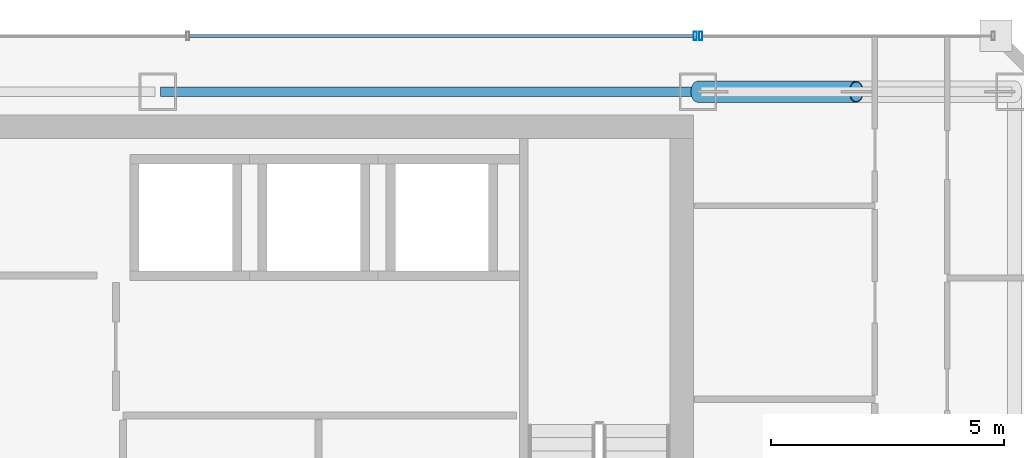
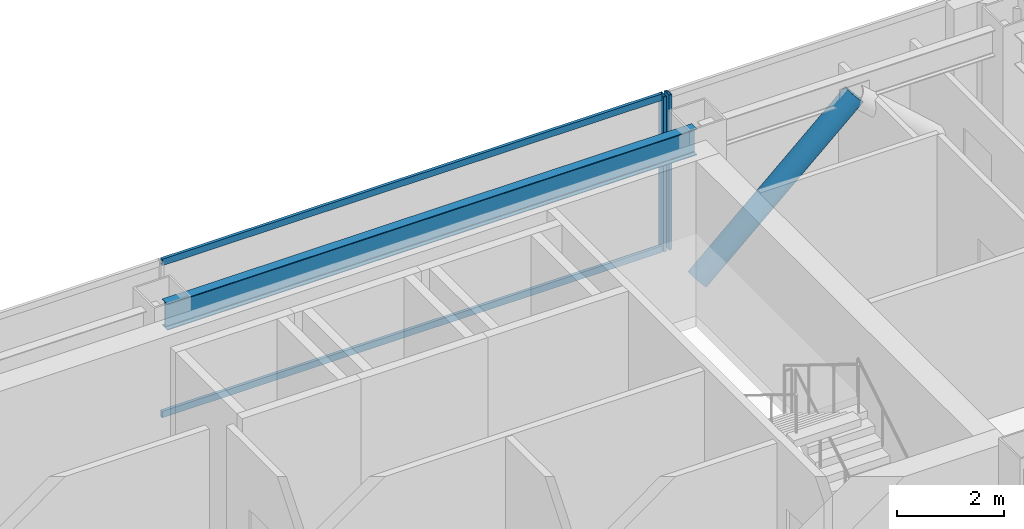
# One storey, part 26 of 35: 5 members, 1 beam, 2 elements without a shape of their own.
"""IFC4 building model written with IfcOpenShell, lengths in metres."""

from ifc_helpers import new_model, si_unit, direction, frame, origin, origin_2d, place, context, subcontext, project, spatial, hollow_rectangle, hollow_circle, i_section, extrude, material, material_profile, profile_set, type_object, element, aggregate, save


model = new_model("IFC4")

# Units and contexts
model_context = context("Model", 3, precision=1e-05, world=origin(), true_north=direction((0.0, 1.0)))
body_context = subcontext(model_context, "Body", "Model", "MODEL_VIEW")
ifc_project = project(units=[si_unit("LENGTHUNIT", "METRE"), si_unit("AREAUNIT", "SQUARE_METRE"), si_unit("VOLUMEUNIT", "CUBIC_METRE"), si_unit("PLANEANGLEUNIT", "RADIAN"), si_unit("MASSUNIT", "GRAM", prefix="KILO")], contexts=[model_context])

# Site, building, storey
site_placement = place(None, origin())
site = spatial("IfcSite", under=ifc_project, at=site_placement, CompositionType="ELEMENT")
building_placement = place(site_placement, origin())
building = spatial("IfcBuilding", under=site, at=building_placement, Name="Saevonmaru Cultural Tower", CompositionType="ELEMENT")
storey_placement = place(building_placement, frame((0.0, 0.0, 217.0)))
storey = spatial("IfcBuildingStorey", under=building, at=storey_placement, Name="L50", CompositionType="ELEMENT", Elevation=217.0)

# Beam
ifc_material_1 = material(Name="Steel SM355", Category="steel")
ifc_material_profile_1 = material_profile(ifc_material_1, i_section(OverallWidth=0.199951171875, OverallDepth=0.60009765625, WebThickness=0.010986328125, FlangeThickness=0.01708984375, FilletRadius=0.02197265625, at=origin_2d()), Name="H-600x200x11x17")
ifc_profile_set_1 = profile_set([ifc_material_profile_1], Name="Steel SM355")
beam_type = type_object("IfcBeamType", Name="BM-SP-H600", PredefinedType="SPANDREL", material=ifc_profile_set_1)
beam_placement = place(storey_placement, frame((34.860107421875, 54.800048828125, 3.25), z_axis=(1.0, 0.0, 0.0), x_axis=(0.0, 1.0, 0.0)))
element("IfcBeam", 1, at=beam_placement, inside=storey, type_object=beam_type, Name="L50 North Spine Girder 4", PredefinedType="SPANDREL", context=body_context, shape_type="SweptSolid", body=[
    extrude(i_section(OverallWidth=0.199951171875, OverallDepth=0.60009765625, WebThickness=0.010986328125, FlangeThickness=0.01708984375, FilletRadius=0.02197265625, at=origin_2d()), origin(), (0.0, 0.0, 1.0), 11.47998046875),
])

# Member
ifc_material_2 = material(Name="Steel SM420", Category="steel")
ifc_material_profile_2 = material_profile(ifc_material_2, hollow_circle(Radius=0.228515625, WallThickness=0.02001953125, at=origin_2d()), Name="CHS-457.2x20")
ifc_profile_set_2 = profile_set([ifc_material_profile_2], Name="Steel SM420")
member_type_1 = type_object("IfcMemberType", Name="MB-PBR-CHS457", PredefinedType="BRACE", material=ifc_profile_set_2)
member_1_placement = place(storey_placement, frame((46.39990234375, 54.800048828125, 0.02001953125), z_axis=(0.744390779303, 0.0, 0.66774423823), x_axis=(0.0, 1.0, 0.0)))
element("IfcMember", 2, at=member_1_placement, inside=storey, type_object=member_type_1, Name="L50 Perimeter Braced-Tube Diagonal EN1", PredefinedType="BRACE", context=body_context, shape_type="SweptSolid", body=[
    extrude(hollow_circle(Radius=0.228515625, WallThickness=0.02001953125, at=origin_2d()), origin(), (0.0, 0.0, 1.0), 4.567626953125),
])

# Curtain wall, member
ifc_material_3 = material(Name="Satin Bronze Anodised Aluminium", Category="aluminium")
curtain_wall_type = type_object("IfcCurtainWallType", Name="CW-TYP-B", PredefinedType="NOTDEFINED", material=ifc_material_3)
curtain_wall_1_placement = place(storey_placement, origin())
curtain_wall_1 = element("IfcCurtainWall", 3, at=curtain_wall_1_placement, inside=storey, type_object=curtain_wall_type, Name="L50 East Braced Bay Spandrel Curtain Wall E10A", PredefinedType="NOTDEFINED")
ifc_material_profile_3 = material_profile(ifc_material_3, hollow_rectangle(XDim=0.06494140625, YDim=0.179931640625, WallThickness=0.00390625, at=origin_2d()), Name="ALU-MULL-180x65x4")
ifc_profile_set_3 = profile_set([ifc_material_profile_3], Name="Satin Bronze Anodised Aluminium")
member_type_2 = type_object("IfcMemberType", Name="ML-CW-180x65", PredefinedType="MULLION", material=ifc_profile_set_3)
member_2_placement = place(storey_placement, frame((46.4599609375, 56.0, 0.0), z_axis=(0.0, 0.0, 1.0), x_axis=(-1.0, 0.0, 0.0)))
member_2 = element("IfcMember", 4, at=member_2_placement, type_object=member_type_2, Name="CW-TW-L50-E10A mullion 2", PredefinedType="MULLION", context=body_context, shape_type="SweptSolid", body=[
    extrude(hollow_rectangle(XDim=0.06494140625, YDim=0.179931640625, WallThickness=0.00390625, at=origin_2d()), origin(), (0.0, 0.0, 1.0), 3.550048828125),
])
aggregate(curtain_wall_1, [member_2])

# Curtain wall, members
curtain_wall_2_placement = place(storey_placement, origin())
curtain_wall_2 = element("IfcCurtainWall", 5, at=curtain_wall_2_placement, inside=storey, type_object=curtain_wall_type, Name="L50 North Spine Unitised Curtain Wall E10B", PredefinedType="NOTDEFINED")
member_3_placement = place(storey_placement, frame((46.340087890625, 56.0, 0.0), z_axis=(0.0, 0.0, 1.0), x_axis=(-1.0, 0.0, 0.0)))
member_3 = element("IfcMember", 6, at=member_3_placement, type_object=member_type_2, Name="CW-TW-L50-E10B mullion 1", PredefinedType="MULLION", context=body_context, shape_type="SweptSolid", body=[
    extrude(hollow_rectangle(XDim=0.06494140625, YDim=0.179931640625, WallThickness=0.00390625, at=origin_2d()), origin(), (0.0, 0.0, 1.0), 3.550048828125),
])
ifc_material_profile_4 = material_profile(ifc_material_3, hollow_rectangle(XDim=0.06494140625, YDim=0.14990234375, WallThickness=0.00390625, at=origin_2d()), Name="ALU-TRAN-150x65x4")
ifc_profile_set_4 = profile_set([ifc_material_profile_4], Name="Satin Bronze Anodised Aluminium")
member_type_3 = type_object("IfcMemberType", Name="TR-CW-150x65", PredefinedType="USERDEFINED", material=ifc_profile_set_4)
member_4_placement = place(storey_placement, frame((46.3076171875, 56.0, 0.032470703125), z_axis=(-1.0, 0.0, 0.0), x_axis=(0.0, -1.0, 0.0)))
member_4 = element("IfcMember", 7, at=member_4_placement, type_object=member_type_3, Name="CW-TW-L50-E10B transom 1.1", ObjectType="TRANSOM", PredefinedType="USERDEFINED", context=body_context, shape_type="SweptSolid", body=[
    extrude(hollow_rectangle(XDim=0.06494140625, YDim=0.14990234375, WallThickness=0.00390625, at=origin_2d()), origin(), (0.0, 0.0, 1.0), 10.828369140625),
])
member_5_placement = place(storey_placement, frame((46.3076171875, 56.0, 3.517578125), z_axis=(-1.0, 0.0, 0.0), x_axis=(0.0, -1.0, 0.0)))
member_5 = element("IfcMember", 8, at=member_5_placement, type_object=member_type_3, Name="CW-TW-L50-E10B transom 1.2", ObjectType="TRANSOM", PredefinedType="USERDEFINED", context=body_context, shape_type="SweptSolid", body=[
    extrude(hollow_rectangle(XDim=0.06494140625, YDim=0.14990234375, WallThickness=0.00390625, at=origin_2d()), origin(), (0.0, 0.0, 1.0), 10.828369140625),
])
aggregate(curtain_wall_2, [member_3, member_4, member_5])

save(model, "model.ifc")
